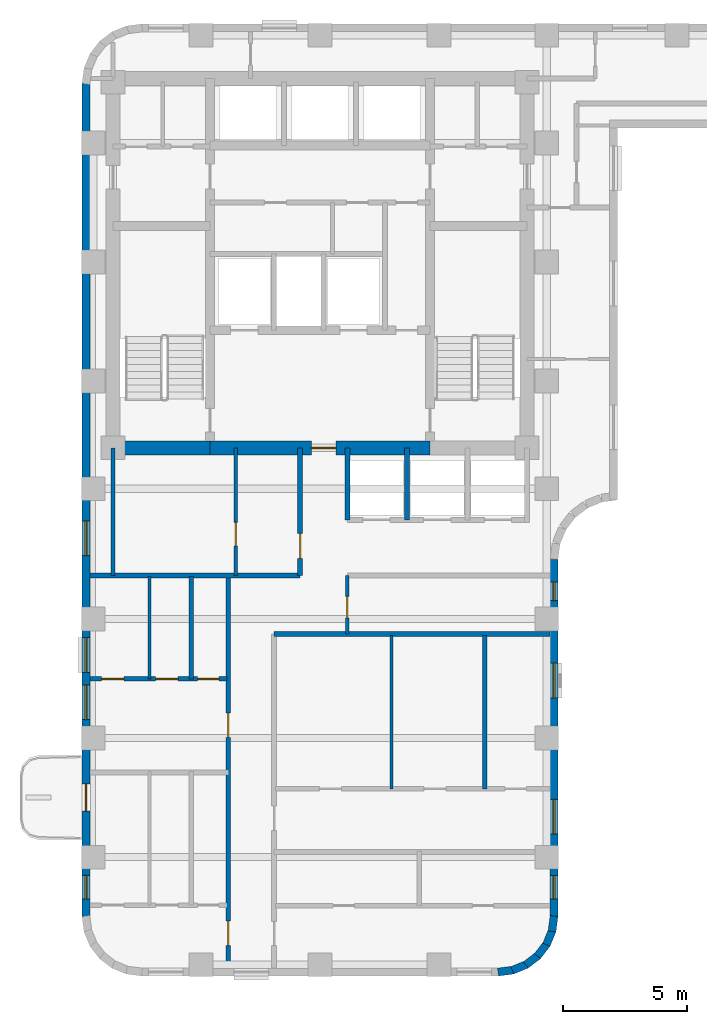
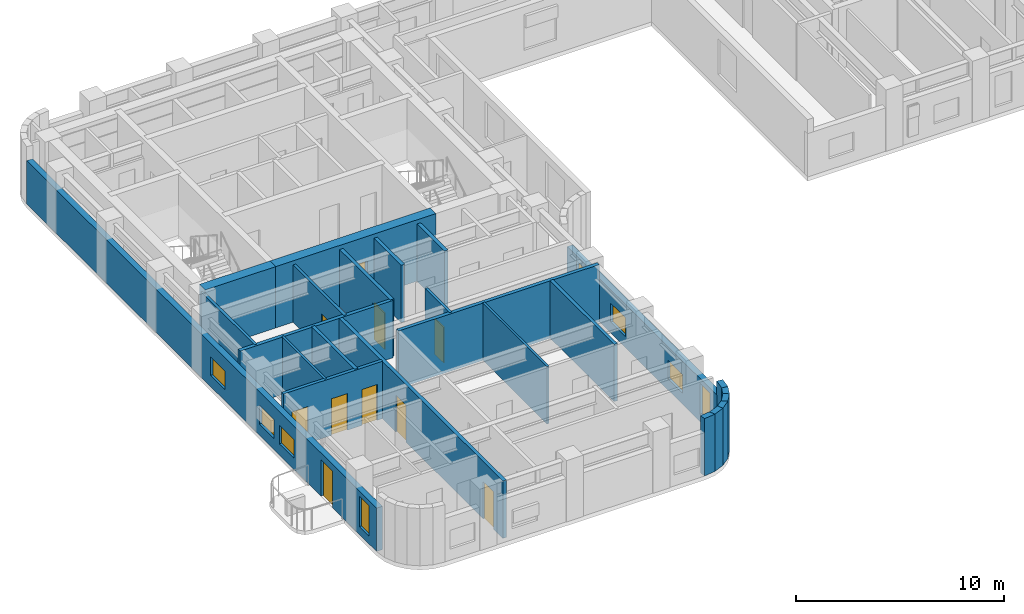
# One storey, part 3 of 10: 24 walls, 10 doors, 8 windows, 18 openings.
"""IFC4 building model written with IfcOpenShell, lengths in metres."""

from ifc_helpers import new_model, si_unit, direction, frame, frame_2d, origin, place, context, subcontext, project, spatial, rectangle, extrude, material, layer, layer_set, type_object, element, fill, save


model = new_model("IFC4")

# Units and contexts
model_context = context("Model", 3, precision=1e-05, world=origin(), true_north=direction((0.0, 1.0)))
body_context = subcontext(model_context, "Body", "Model", "MODEL_VIEW")
ifc_project = project(units=[si_unit("LENGTHUNIT", "METRE"), si_unit("AREAUNIT", "SQUARE_METRE"), si_unit("VOLUMEUNIT", "CUBIC_METRE"), si_unit("PLANEANGLEUNIT", "RADIAN"), si_unit("MASSUNIT", "GRAM", prefix="KILO")], contexts=[model_context])

# Site, building, storey
site_placement = place(None, origin())
site = spatial("IfcSite", under=ifc_project, at=site_placement, CompositionType="ELEMENT")
building_placement = place(site_placement, origin())
building = spatial("IfcBuilding", under=site, at=building_placement, Name="Orvandelia Arch Residences", CompositionType="ELEMENT")
storey_placement = place(building_placement, frame((0.0, 0.0, 182.800048828125)))
storey = spatial("IfcBuildingStorey", under=building, at=storey_placement, Name="L48", CompositionType="ELEMENT", Elevation=182.800048828125)

# Wall
ifc_material_1 = material(Name="Concrete C60/75", Category="concrete")
ifc_layer_1 = layer(ifc_material_1, 0.550048828125, Name="Concrete C60/75", Category="concrete")
ifc_layer_set_1 = layer_set([ifc_layer_1], Name="Concrete C60/75")
wall_type_1 = type_object("IfcWallType", Name="WL-CORE-550", PredefinedType="SHEAR", material=ifc_layer_set_1)
wall_1_placement = place(storey_placement, frame((6.050048828125, 30.89990234375, 0.0), z_axis=(0.0, 0.0, 1.0), x_axis=(1.0, 0.0, 0.0)))
element("IfcWall", 1, at=wall_1_placement, inside=storey, type_object=wall_type_1, Name="Core Shear Wall L48-SW", PredefinedType="SHEAR", context=body_context, shape_type="SweptSolid", body=[
    extrude(rectangle(XDim=3.909912109375, YDim=0.550048828125, at=frame_2d((1.955078125, 0.0))), origin(), (0.0, 0.0, 1.0), 3.599853515625),
])

# Wall, opening, door
wall_2_placement = place(storey_placement, frame((9.9599609375, 30.89990234375, 0.0), z_axis=(0.0, 0.0, 1.0), x_axis=(1.0, 0.0, 0.0)))
wall_2 = element("IfcWall", 2, at=wall_2_placement, inside=storey, type_object=wall_type_1, Name="Core Shear Wall L48-SM", PredefinedType="SHEAR", context=body_context, shape_type="SweptSolid", body=[
    extrude(rectangle(XDim=8.880126953125, YDim=0.550048828125, at=frame_2d((4.43994140625, 0.0))), origin(), (0.0, 0.0, 1.0), 3.599853515625),
])
opening_1_placement = place(wall_2_placement, frame((4.090087890625, 0.0, 0.0)))
opening_1 = element("IfcOpeningElement", 3, at=opening_1_placement, cuts=wall_2, Name="Opening D6", PredefinedType="OPENING", context=body_context, shape_type="SweptSolid", body=[
    extrude(rectangle(XDim=1.0, YDim=2.14990234375, at=frame_2d((0.5, 1.074951171875))), frame((0.0, 0.28515625, 0.0), z_axis=(0.0, -1.0, 0.0), x_axis=(1.0, 0.0, 0.0)), (0.0, 0.0, 1.0), 0.570068359375),
])
ifc_material_2 = material(Name="Smokeproof Painted Steel Fire Door", Category="steel")
door_type_1 = type_object("IfcDoorType", Name="DR-FD60-1000", OperationType="NOTDEFINED", PredefinedType="DOOR", material=ifc_material_2)
door_1_placement = place(opening_1_placement, origin())
door_1 = element("IfcDoor", 4, at=door_1_placement, inside=storey, type_object=door_type_1, Name="Firefighting Lobby Smokeproof Door L48", OperationType="SINGLE_SWING_LEFT", OverallHeight=2.14990234375, OverallWidth=1.0, PredefinedType="DOOR", context=body_context, shape_type="SweptSolid", body=[
    extrude(rectangle(XDim=1.0, YDim=2.14990234375, at=frame_2d((0.5, 1.074951171875))), frame((0.0, 0.02490234375, 0.0), z_axis=(0.0, -1.0, 0.0), x_axis=(1.0, 0.0, 0.0)), (0.0, 0.0, 1.0), 0.050048828125),
])
fill(opening_1, door_1)

# Wall, openings, doors
ifc_material_3 = material(Name="Fire-Rated Corridor Partition")
ifc_layer_2 = layer(ifc_material_3, 0.199951171875, Name="Fire-Rated Corridor Partition")
ifc_layer_set_2 = layer_set([ifc_layer_2], Name="Fire-Rated Corridor Partition")
wall_type_2 = type_object("IfcWallType", Name="WL-CORR-200", PredefinedType="PARTITIONING", material=ifc_layer_set_2)
wall_3_placement = place(storey_placement, frame((10.699951171875, 9.919921875, 0.0), z_axis=(0.0, 0.0, 1.0), x_axis=(0.0, 1.0, 0.0)))
wall_3 = element("IfcWall", 5, at=wall_3_placement, inside=storey, type_object=wall_type_2, Name="Interior Partition Wall WL-L48-WC-W", PredefinedType="PARTITIONING", context=body_context, shape_type="SweptSolid", body=[
    extrude(rectangle(XDim=15.830078125, YDim=0.199951171875, at=frame_2d((7.9150390625, 0.0))), origin(), (0.0, 0.0, 1.0), 3.35986328125),
])
opening_2_placement = place(wall_3_placement, frame((0.910888671875, 0.0, 0.0)))
opening_2 = element("IfcOpeningElement", 6, at=opening_2_placement, cuts=wall_3, Name="Opening D1", PredefinedType="OPENING", context=body_context, shape_type="SweptSolid", body=[
    extrude(rectangle(XDim=0.97998046875, YDim=2.179931640625, at=frame_2d((0.489990234375, 1.08984375))), frame((0.0, 0.10986328125, 0.0), z_axis=(0.0, -1.0, 0.0), x_axis=(1.0, 0.0, 0.0)), (0.0, 0.0, 1.0), 0.219970703125),
])
opening_3_placement = place(wall_3_placement, frame((9.302001953125, 0.0, 0.0)))
opening_3 = element("IfcOpeningElement", 7, at=opening_3_placement, cuts=wall_3, Name="Opening D1", PredefinedType="OPENING", context=body_context, shape_type="SweptSolid", body=[
    extrude(rectangle(XDim=0.97998046875, YDim=2.179931640625, at=frame_2d((0.489990234375, 1.08984375))), frame((0.0, 0.10986328125, 0.0), z_axis=(0.0, -1.0, 0.0), x_axis=(1.0, 0.0, 0.0)), (0.0, 0.0, 1.0), 0.219970703125),
])
ifc_material_4 = material(Name="Solid-Core Timber Acoustic Fire Door", Category="wood")
door_type_2 = type_object("IfcDoorType", Name="DR-ENT-980", OperationType="NOTDEFINED", PredefinedType="DOOR", material=ifc_material_4)
door_2_placement = place(opening_2_placement, origin())
door_2 = element("IfcDoor", 8, at=door_2_placement, inside=storey, type_object=door_type_2, Name="Unit L48-01 Entrance Door", OperationType="SINGLE_SWING_LEFT", OverallHeight=2.179931640625, OverallWidth=0.97998046875, PredefinedType="DOOR", context=body_context, shape_type="SweptSolid", body=[
    extrude(rectangle(XDim=0.97998046875, YDim=2.179931640625, at=frame_2d((0.489990234375, 1.08984375))), frame((0.0, 0.02490234375, 0.0), z_axis=(0.0, -1.0, 0.0), x_axis=(1.0, 0.0, 0.0)), (0.0, 0.0, 1.0), 0.050048828125),
])
fill(opening_2, door_2)
door_3_placement = place(opening_3_placement, origin())
door_3 = element("IfcDoor", 9, at=door_3_placement, inside=storey, type_object=door_type_2, Name="Unit L48-02 Entrance Door", OperationType="SINGLE_SWING_RIGHT", OverallHeight=2.179931640625, OverallWidth=0.97998046875, PredefinedType="DOOR", context=body_context, shape_type="SweptSolid", body=[
    extrude(rectangle(XDim=0.97998046875, YDim=2.179931640625, at=frame_2d((0.489990234375, 1.08984375))), frame((0.0, 0.02490234375, 0.0), z_axis=(0.0, -1.0, 0.0), x_axis=(1.0, 0.0, 0.0)), (0.0, 0.0, 1.0), 0.050048828125),
])
fill(opening_3, door_3)

# Walls
wall_4_placement = place(storey_placement, frame((12.550048828125, 23.39990234375, 0.0), z_axis=(0.0, 0.0, 1.0), x_axis=(1.0, 0.0, 0.0)))
element("IfcWall", 10, at=wall_4_placement, inside=storey, type_object=wall_type_2, Name="Interior Partition Wall WL-L48-WLNK-S", PredefinedType="PARTITIONING", context=body_context, shape_type="SweptSolid", body=[
    extrude(rectangle(XDim=11.1298828125, YDim=0.199951171875, at=frame_2d((5.56494140625, 0.0))), origin(), (0.0, 0.0, 1.0), 3.35986328125),
])
wall_5_placement = place(storey_placement, frame((5.1201171875, 25.75, 0.0), z_axis=(0.0, 0.0, 1.0), x_axis=(1.0, 0.0, 0.0)))
element("IfcWall", 11, at=wall_5_placement, inside=storey, type_object=wall_type_2, Name="Interior Partition Wall WL-L48-WLNK-N", PredefinedType="PARTITIONING", context=body_context, shape_type="SweptSolid", body=[
    extrude(rectangle(XDim=8.47998046875, YDim=0.199951171875, at=frame_2d((4.239990234375, 0.0))), origin(), (0.0, 0.0, 1.0), 3.35986328125),
])

# Wall, openings, windows
ifc_material_5 = material(Name="Precast concrete C40/50", Category="concrete")
ifc_layer_3 = layer(ifc_material_5, 0.320068359375, Name="Precast concrete C40/50", Category="concrete")
ifc_layer_set_3 = layer_set([ifc_layer_3], Name="Precast concrete C40/50")
wall_type_3 = type_object("IfcWallType", Name="WL-EXT-STONE-320", PredefinedType="STANDARD", material=ifc_layer_set_3)
wall_6_placement = place(storey_placement, frame((23.840087890625, 26.39990234375, 0.0), z_axis=(0.0, 0.0, 1.0), x_axis=(0.0, -1.0, 0.0)))
wall_6 = element("IfcWall", 12, at=wall_6_placement, inside=storey, type_object=wall_type_3, Name="Coral-Limestone Precast Facade Wall L48-031", PredefinedType="STANDARD", context=body_context, shape_type="SweptSolid", body=[
    extrude(rectangle(XDim=14.39990234375, YDim=0.320068359375, at=frame_2d((7.199951171875, 0.0))), origin(), (0.0, 0.0, 1.0), 2.5400390625),
])
opening_4_placement = place(wall_6_placement, frame((9.676025390625, 0.0, 0.64990234375)))
opening_4 = element("IfcOpeningElement", 13, at=opening_4_placement, cuts=wall_6, Name="Opening W10", PredefinedType="OPENING", context=body_context, shape_type="SweptSolid", body=[
    extrude(rectangle(XDim=1.39990234375, YDim=1.10009765625, at=frame_2d((0.699951171875, 0.550048828125))), frame((0.0, 0.169921875, 0.0), z_axis=(0.0, -1.0, 0.0), x_axis=(1.0, 0.0, 0.0)), (0.0, 0.0, 1.0), 0.340087890625),
])
opening_5_placement = place(wall_6_placement, frame((12.75048828125, 0.0, 0.449951171875)))
opening_5 = element("IfcOpeningElement", 14, at=opening_5_placement, cuts=wall_6, Name="Opening W4", PredefinedType="OPENING", context=body_context, shape_type="SweptSolid", body=[
    extrude(rectangle(XDim=0.949951171875, YDim=1.800048828125, at=frame_2d((0.47509765625, 0.89990234375))), frame((0.0, 0.169921875, 0.0), z_axis=(0.0, -1.0, 0.0), x_axis=(1.0, 0.0, 0.0)), (0.0, 0.0, 1.0), 0.340087890625),
])
opening_6_placement = place(wall_6_placement, frame((4.1826171875, 0.0, 0.64990234375)))
opening_6 = element("IfcOpeningElement", 15, at=opening_6_placement, cuts=wall_6, Name="Opening W10", PredefinedType="OPENING", context=body_context, shape_type="SweptSolid", body=[
    extrude(rectangle(XDim=1.39990234375, YDim=1.10009765625, at=frame_2d((0.699951171875, 0.550048828125))), frame((0.0, 0.169921875, 0.0), z_axis=(0.0, -1.0, 0.0), x_axis=(1.0, 0.0, 0.0)), (0.0, 0.0, 1.0), 0.340087890625),
])
opening_7_placement = place(wall_6_placement, frame((0.907470703125, 0.0, 0.449951171875)))
opening_7 = element("IfcOpeningElement", 16, at=opening_7_placement, cuts=wall_6, Name="Opening W11", PredefinedType="OPENING", context=body_context, shape_type="SweptSolid", body=[
    extrude(rectangle(XDim=0.75, YDim=1.800048828125, at=frame_2d((0.375, 0.89990234375))), frame((0.0, 0.169921875, 0.0), z_axis=(0.0, -1.0, 0.0), x_axis=(1.0, 0.0, 0.0)), (0.0, 0.0, 1.0), 0.340087890625),
])
ifc_material_6 = material(Name="Tempered Low-E Insulated Glazing", Category="glass")
window_type_1 = type_object("IfcWindowType", Name="WIN-BED-0750x1800", PartitioningType="SINGLE_PANEL", PredefinedType="WINDOW", material=ifc_material_6)
window_1_placement = place(opening_7_placement, origin())
window_1 = element("IfcWindow", 17, at=window_1_placement, inside=storey, type_object=window_type_1, Name="Recessed Punched Window L48-019", OverallHeight=1.800048828125, OverallWidth=0.75, PartitioningType="SINGLE_PANEL", PredefinedType="WINDOW", context=body_context, shape_type="SweptSolid", body=[
    extrude(rectangle(XDim=0.75, YDim=1.800048828125, at=frame_2d((0.375, 0.89990234375))), frame((0.0, 0.030029296875, 0.0), z_axis=(0.0, -1.0, 0.0), x_axis=(1.0, 0.0, 0.0)), (0.0, 0.0, 1.0), 0.06005859375),
])
fill(opening_7, window_1)
window_type_2 = type_object("IfcWindowType", Name="WIN-CLR-1400x1100", PartitioningType="SINGLE_PANEL", PredefinedType="WINDOW", material=ifc_material_6)
window_2_placement = place(opening_4_placement, origin())
window_2 = element("IfcWindow", 18, at=window_2_placement, inside=storey, type_object=window_type_2, Name="Recessed Punched Window L48-016", OverallHeight=1.10009765625, OverallWidth=1.39990234375, PartitioningType="SINGLE_PANEL", PredefinedType="WINDOW", context=body_context, shape_type="SweptSolid", body=[
    extrude(rectangle(XDim=1.39990234375, YDim=1.10009765625, at=frame_2d((0.699951171875, 0.550048828125))), frame((0.0, 0.030029296875, 0.0), z_axis=(0.0, -1.0, 0.0), x_axis=(1.0, 0.0, 0.0)), (0.0, 0.0, 1.0), 0.06005859375),
])
fill(opening_4, window_2)
window_3_placement = place(opening_6_placement, origin())
window_3 = element("IfcWindow", 19, at=window_3_placement, inside=storey, type_object=window_type_2, Name="Recessed Punched Window L48-018", OverallHeight=1.10009765625, OverallWidth=1.39990234375, PartitioningType="SINGLE_PANEL", PredefinedType="WINDOW", context=body_context, shape_type="SweptSolid", body=[
    extrude(rectangle(XDim=1.39990234375, YDim=1.10009765625, at=frame_2d((0.699951171875, 0.550048828125))), frame((0.0, 0.030029296875, 0.0), z_axis=(0.0, -1.0, 0.0), x_axis=(1.0, 0.0, 0.0)), (0.0, 0.0, 1.0), 0.06005859375),
])
fill(opening_6, window_3)
window_type_3 = type_object("IfcWindowType", Name="WIN-RES-0950x1800", PartitioningType="SINGLE_PANEL", PredefinedType="WINDOW", material=ifc_material_6)
window_4_placement = place(opening_5_placement, origin())
window_4 = element("IfcWindow", 20, at=window_4_placement, inside=storey, type_object=window_type_3, Name="Recessed Punched Window L48-017", OverallHeight=1.800048828125, OverallWidth=0.949951171875, PartitioningType="SINGLE_PANEL", PredefinedType="WINDOW", context=body_context, shape_type="SweptSolid", body=[
    extrude(rectangle(XDim=0.949951171875, YDim=1.800048828125, at=frame_2d((0.47509765625, 0.89990234375))), frame((0.0, 0.030029296875, 0.0), z_axis=(0.0, -1.0, 0.0), x_axis=(1.0, 0.0, 0.0)), (0.0, 0.0, 1.0), 0.06005859375),
])
fill(opening_5, window_4)

# Walls
wall_7_placement = place(storey_placement, frame((23.84130859375, 12.02099609375, 0.0), z_axis=(0.0, 0.0, 1.0), x_axis=(-0.130504898859, -0.991447664465, 0.0)))
element("IfcWall", 21, at=wall_7_placement, inside=storey, type_object=wall_type_3, Name="Coral-Limestone Precast Facade Wall L48-032", PredefinedType="STANDARD", context=body_context, shape_type="SweptSolid", body=[
    extrude(rectangle(XDim=0.626708984375, YDim=0.320068359375, at=frame_2d((0.3134765625, 0.0))), origin(), (0.0, 0.0, 1.0), 3.35986328125),
])
for number, where, z_axis, x_axis, name in (
    (22, (23.7705078125, 11.43994140625, 0.0), (0.0, 0.0, 1.0), (-0.382650053678, -0.92389335771, 0.0), "Coral-Limestone Precast Facade Wall L48-033"),
    (23, (23.551513671875, 10.8974609375, 0.0), (0.0, 0.0, 1.0), (-0.608693302629, -0.793405610854, 0.0), "Coral-Limestone Precast Facade Wall L48-034"),
    (24, (23.19970703125, 10.4296875, 0.0), (0.0, 0.0, 1.0), (-0.793405610854, -0.608693302629, 0.0), "Coral-Limestone Precast Facade Wall L48-035"),
    (25, (22.73876953125, 10.0693359375, 0.0), (0.0, 0.0, 1.0), (-0.92389335771, -0.382650053678, 0.0), "Coral-Limestone Precast Facade Wall L48-036"),
    (26, (22.2001953125, 9.84033203125, 0.0), (0.0, 0.0, 1.0), (-0.9914410257, -0.130555323746, 0.0), "Coral-Limestone Precast Facade Wall L48-037"),
):
    element("IfcWall", number, at=place(storey_placement, frame(where, z_axis=z_axis, x_axis=x_axis)), inside=storey, type_object=wall_type_3, Name=name, PredefinedType="STANDARD", context=body_context, shape_type="SweptSolid", body=[
        extrude(rectangle(XDim=0.62646484375, YDim=0.320068359375, at=frame_2d((0.313232421875, 0.0))), origin(), (0.0, 0.0, 1.0), 3.35986328125),
    ])

# Wall, openings, door, windows
wall_8_placement = place(storey_placement, frame((4.9599609375, 12.0, 0.0), z_axis=(0.0, 0.0, 1.0), x_axis=(0.0, 1.0, 0.0)))
wall_8 = element("IfcWall", 27, at=wall_8_placement, inside=storey, type_object=wall_type_3, Name="Coral-Limestone Precast Facade Wall L48-045", PredefinedType="STANDARD", context=body_context, shape_type="SweptSolid", body=[
    extrude(rectangle(XDim=33.60009765625, YDim=0.320068359375, at=frame_2d((16.800048828125, 0.0))), origin(), (0.0, 0.0, 1.0), 2.5400390625),
])
opening_8_placement = place(wall_8_placement, frame((4.25, 0.0, 0.0)))
opening_8 = element("IfcOpeningElement", 28, at=opening_8_placement, cuts=wall_8, Name="Opening BD1", PredefinedType="OPENING", context=body_context, shape_type="SweptSolid", body=[
    extrude(rectangle(XDim=1.10009765625, YDim=2.14990234375, at=frame_2d((0.550048828125, 1.074951171875))), frame((0.0, 0.169921875, 0.0), z_axis=(0.0, -1.0, 0.0), x_axis=(1.0, 0.0, 0.0)), (0.0, 0.0, 1.0), 0.340087890625),
])
opening_9_placement = place(wall_8_placement, frame((0.70849609375, 0.0, 0.449951171875)))
opening_9 = element("IfcOpeningElement", 29, at=opening_9_placement, cuts=wall_8, Name="Opening W4", PredefinedType="OPENING", context=body_context, shape_type="SweptSolid", body=[
    extrude(rectangle(XDim=0.949951171875, YDim=1.800048828125, at=frame_2d((0.47509765625, 0.89990234375))), frame((0.0, 0.169921875, 0.0), z_axis=(0.0, -1.0, 0.0), x_axis=(1.0, 0.0, 0.0)), (0.0, 0.0, 1.0), 0.340087890625),
])
opening_10_placement = place(wall_8_placement, frame((9.844482421875, 0.0, 0.64990234375)))
opening_10 = element("IfcOpeningElement", 30, at=opening_10_placement, cuts=wall_8, Name="Opening W10", PredefinedType="OPENING", context=body_context, shape_type="SweptSolid", body=[
    extrude(rectangle(XDim=1.39990234375, YDim=1.10009765625, at=frame_2d((0.699951171875, 0.550048828125))), frame((0.0, 0.169921875, 0.0), z_axis=(0.0, -1.0, 0.0), x_axis=(1.0, 0.0, 0.0)), (0.0, 0.0, 1.0), 0.340087890625),
])
opening_11_placement = place(wall_8_placement, frame((7.939453125, 0.0, 0.64990234375)))
opening_11 = element("IfcOpeningElement", 31, at=opening_11_placement, cuts=wall_8, Name="Opening W10", PredefinedType="OPENING", context=body_context, shape_type="SweptSolid", body=[
    extrude(rectangle(XDim=1.39990234375, YDim=1.10009765625, at=frame_2d((0.699951171875, 0.550048828125))), frame((0.0, 0.169921875, 0.0), z_axis=(0.0, -1.0, 0.0), x_axis=(1.0, 0.0, 0.0)), (0.0, 0.0, 1.0), 0.340087890625),
])
opening_12_placement = place(wall_8_placement, frame((14.5576171875, 0.0, 0.64990234375)))
opening_12 = element("IfcOpeningElement", 32, at=opening_12_placement, cuts=wall_8, Name="Opening W10", PredefinedType="OPENING", context=body_context, shape_type="SweptSolid", body=[
    extrude(rectangle(XDim=1.39990234375, YDim=1.10009765625, at=frame_2d((0.699951171875, 0.550048828125))), frame((0.0, 0.169921875, 0.0), z_axis=(0.0, -1.0, 0.0), x_axis=(1.0, 0.0, 0.0)), (0.0, 0.0, 1.0), 0.340087890625),
])
ifc_material_7 = material(Name="Thermally Broken Aluminium Glazed Door", Category="aluminium")
door_type_3 = type_object("IfcDoorType", Name="DR-BAL-GLAZ-1100", OperationType="NOTDEFINED", PredefinedType="DOOR", material=ifc_material_7)
door_4_placement = place(opening_8_placement, origin())
door_4 = element("IfcDoor", 33, at=door_4_placement, inside=storey, type_object=door_type_3, Name="Tree Balcony Glazed Door BAL-L48-W1", OperationType="SINGLE_SWING_RIGHT", OverallHeight=2.14990234375, OverallWidth=1.10009765625, PredefinedType="DOOR", context=body_context, shape_type="SweptSolid", body=[
    extrude(rectangle(XDim=1.10009765625, YDim=2.14990234375, at=frame_2d((0.550048828125, 1.074951171875))), frame((0.0, 0.02490234375, 0.0), z_axis=(0.0, -1.0, 0.0), x_axis=(1.0, 0.0, 0.0)), (0.0, 0.0, 1.0), 0.050048828125),
])
fill(opening_8, door_4)
window_5_placement = place(opening_10_placement, origin())
window_5 = element("IfcWindow", 34, at=window_5_placement, inside=storey, type_object=window_type_2, Name="Recessed Punched Window L48-024", OverallHeight=1.10009765625, OverallWidth=1.39990234375, PartitioningType="SINGLE_PANEL", PredefinedType="WINDOW", context=body_context, shape_type="SweptSolid", body=[
    extrude(rectangle(XDim=1.39990234375, YDim=1.10009765625, at=frame_2d((0.699951171875, 0.550048828125))), frame((0.0, 0.030029296875, 0.0), z_axis=(0.0, -1.0, 0.0), x_axis=(1.0, 0.0, 0.0)), (0.0, 0.0, 1.0), 0.06005859375),
])
fill(opening_10, window_5)
window_6_placement = place(opening_11_placement, origin())
window_6 = element("IfcWindow", 35, at=window_6_placement, inside=storey, type_object=window_type_2, Name="Recessed Punched Window L48-025", OverallHeight=1.10009765625, OverallWidth=1.39990234375, PartitioningType="SINGLE_PANEL", PredefinedType="WINDOW", context=body_context, shape_type="SweptSolid", body=[
    extrude(rectangle(XDim=1.39990234375, YDim=1.10009765625, at=frame_2d((0.699951171875, 0.550048828125))), frame((0.0, 0.030029296875, 0.0), z_axis=(0.0, -1.0, 0.0), x_axis=(1.0, 0.0, 0.0)), (0.0, 0.0, 1.0), 0.06005859375),
])
fill(opening_11, window_6)
window_7_placement = place(opening_12_placement, origin())
window_7 = element("IfcWindow", 36, at=window_7_placement, inside=storey, type_object=window_type_2, Name="Recessed Punched Window L48-026", OverallHeight=1.10009765625, OverallWidth=1.39990234375, PartitioningType="SINGLE_PANEL", PredefinedType="WINDOW", context=body_context, shape_type="SweptSolid", body=[
    extrude(rectangle(XDim=1.39990234375, YDim=1.10009765625, at=frame_2d((0.699951171875, 0.550048828125))), frame((0.0, 0.030029296875, 0.0), z_axis=(0.0, -1.0, 0.0), x_axis=(1.0, 0.0, 0.0)), (0.0, 0.0, 1.0), 0.06005859375),
])
fill(opening_12, window_7)
window_8_placement = place(opening_9_placement, origin())
window_8 = element("IfcWindow", 37, at=window_8_placement, inside=storey, type_object=window_type_3, Name="Recessed Punched Window L48-023", OverallHeight=1.800048828125, OverallWidth=0.949951171875, PartitioningType="SINGLE_PANEL", PredefinedType="WINDOW", context=body_context, shape_type="SweptSolid", body=[
    extrude(rectangle(XDim=0.949951171875, YDim=1.800048828125, at=frame_2d((0.47509765625, 0.89990234375))), frame((0.0, 0.030029296875, 0.0), z_axis=(0.0, -1.0, 0.0), x_axis=(1.0, 0.0, 0.0)), (0.0, 0.0, 1.0), 0.06005859375),
])
fill(opening_9, window_8)

# Walls
ifc_material_8 = material(Name="Lightweight Gypsum Stud Partition")
ifc_layer_4 = layer(ifc_material_8, 0.1201171875, Name="Lightweight Gypsum Stud Partition")
ifc_layer_set_4 = layer_set([ifc_layer_4], Name="Lightweight Gypsum Stud Partition")
wall_type_4 = type_object("IfcWallType", Name="WL-PART-120", PredefinedType="PARTITIONING", material=ifc_layer_set_4)
wall_9_placement = place(storey_placement, frame((7.514892578125, 21.583984375, 0.0), z_axis=(0.0, 0.0, 1.0), x_axis=(0.0, 1.0, 0.0)))
element("IfcWall", 38, at=wall_9_placement, inside=storey, type_object=wall_type_4, Name="Interior Partition Wall WL-L48-U02-V1", PredefinedType="PARTITIONING", context=body_context, shape_type="SweptSolid", body=[
    extrude(rectangle(XDim=4.135986328125, YDim=0.1201171875, at=frame_2d((2.06787109375, 0.0))), origin(), (0.0, 0.0, 1.0), 3.35986328125),
])
wall_10_placement = place(storey_placement, frame((17.284912109375, 17.153076171875, 0.0), z_axis=(0.0, 0.0, 1.0), x_axis=(0.0, 1.0, 0.0)))
element("IfcWall", 39, at=wall_10_placement, inside=storey, type_object=wall_type_4, Name="Interior Partition Wall WL-L48-U04-V1", PredefinedType="PARTITIONING", context=body_context, shape_type="SweptSolid", body=[
    extrude(rectangle(XDim=6.18701171875, YDim=0.1201171875, at=frame_2d((3.093505859375, 0.0))), origin(), (0.0, 0.0, 1.0), 3.35986328125),
])
ifc_material_9 = material(Name="Acoustic Gypsum Stud Partition")
ifc_layer_5 = layer(ifc_material_9, 0.14990234375, Name="Acoustic Gypsum Stud Partition")
ifc_layer_set_5 = layer_set([ifc_layer_5], Name="Acoustic Gypsum Stud Partition")
wall_type_5 = type_object("IfcWallType", Name="WL-PART-150", PredefinedType="PARTITIONING", material=ifc_layer_set_5)
wall_11_placement = place(storey_placement, frame((6.050048828125, 25.75, 0.0), z_axis=(0.0, 0.0, 1.0), x_axis=(0.0, 1.0, 0.0)))
element("IfcWall", 40, at=wall_11_placement, inside=storey, type_object=wall_type_5, Name="Interior Partition Wall WL-L48-B1REUSE-W", PredefinedType="PARTITIONING", context=body_context, shape_type="SweptSolid", body=[
    extrude(rectangle(XDim=5.14990234375, YDim=0.14990234375, at=frame_2d((2.574951171875, 0.0))), origin(), (0.0, 0.0, 1.0), 3.35986328125),
])

# Wall, opening, door
wall_12_placement = place(storey_placement, frame((11.0, 25.75, 0.0), z_axis=(0.0, 0.0, 1.0), x_axis=(0.0, 1.0, 0.0)))
wall_12 = element("IfcWall", 41, at=wall_12_placement, inside=storey, type_object=wall_type_5, Name="Interior Partition Wall WL-L48-B1R-M2", PredefinedType="PARTITIONING", context=body_context, shape_type="SweptSolid", body=[
    extrude(rectangle(XDim=5.14990234375, YDim=0.14990234375, at=frame_2d((2.574951171875, 0.0))), origin(), (0.0, 0.0, 1.0), 3.35986328125),
])
opening_13_placement = place(wall_12_placement, frame((1.199951171875, 0.0, 0.0)))
opening_13 = element("IfcOpeningElement", 42, at=opening_13_placement, cuts=wall_12, Name="Opening D2", PredefinedType="OPENING", context=body_context, shape_type="SweptSolid", body=[
    extrude(rectangle(XDim=0.949951171875, YDim=2.14990234375, at=frame_2d((0.47509765625, 1.074951171875))), frame((0.0, 0.0849609375, 0.0), z_axis=(0.0, -1.0, 0.0), x_axis=(1.0, 0.0, 0.0)), (0.0, 0.0, 1.0), 0.169921875),
])
ifc_material_10 = material(Name="Solid-Core Timber Interior Fire Door", Category="wood")
door_type_4 = type_object("IfcDoorType", Name="DR-APT-950", OperationType="NOTDEFINED", PredefinedType="DOOR", material=ifc_material_10)
door_5_placement = place(opening_13_placement, origin())
door_5 = element("IfcDoor", 43, at=door_5_placement, inside=storey, type_object=door_type_4, Name="DR-L48-B1RW", OperationType="SINGLE_SWING_LEFT", OverallHeight=2.14990234375, OverallWidth=0.949951171875, PredefinedType="DOOR", context=body_context, shape_type="SweptSolid", body=[
    extrude(rectangle(XDim=0.949951171875, YDim=2.14990234375, at=frame_2d((0.47509765625, 1.074951171875))), frame((0.0, 0.02490234375, 0.0), z_axis=(0.0, -1.0, 0.0), x_axis=(1.0, 0.0, 0.0)), (0.0, 0.0, 1.0), 0.050048828125),
])
fill(opening_13, door_5)

wall_13_placement = place(storey_placement, frame((15.5, 23.39990234375, 0.0), z_axis=(0.0, 0.0, 1.0), x_axis=(0.0, 1.0, 0.0)))
wall_13 = element("IfcWall", 44, at=wall_13_placement, inside=storey, type_object=wall_type_5, Name="Interior Partition Wall WL-L48-WLNK-E", PredefinedType="PARTITIONING", context=body_context, shape_type="SweptSolid", body=[
    extrude(rectangle(XDim=2.35009765625, YDim=0.14990234375, at=frame_2d((1.175048828125, 0.0))), origin(), (0.0, 0.0, 1.0), 3.35986328125),
])
opening_14_placement = place(wall_13_placement, frame((0.64990234375, 0.0, 0.0)))
opening_14 = element("IfcOpeningElement", 45, at=opening_14_placement, cuts=wall_13, Name="Opening D4", PredefinedType="OPENING", context=body_context, shape_type="SweptSolid", body=[
    extrude(rectangle(XDim=0.860107421875, YDim=2.10009765625, at=frame_2d((0.43017578125, 1.050048828125))), frame((0.0, 0.0849609375, 0.0), z_axis=(0.0, -1.0, 0.0), x_axis=(1.0, 0.0, 0.0)), (0.0, 0.0, 1.0), 0.169921875),
])
ifc_material_11 = material(Name="Moisture-Sealed Timber Bathroom Door", Category="wood")
door_type_5 = type_object("IfcDoorType", Name="DR-WET-900", OperationType="NOTDEFINED", PredefinedType="DOOR", material=ifc_material_11)
door_6_placement = place(opening_14_placement, origin())
door_6 = element("IfcDoor", 46, at=door_6_placement, inside=storey, type_object=door_type_5, Name="DR-L48-WLNKST", OperationType="SINGLE_SWING_RIGHT", OverallHeight=2.10009765625, OverallWidth=0.860107421875, PredefinedType="DOOR", context=body_context, shape_type="SweptSolid", body=[
    extrude(rectangle(XDim=0.860107421875, YDim=2.10009765625, at=frame_2d((0.43017578125, 1.050048828125))), frame((0.0, 0.02490234375, 0.0), z_axis=(0.0, -1.0, 0.0), x_axis=(1.0, 0.0, 0.0)), (0.0, 0.0, 1.0), 0.050048828125),
])
fill(opening_14, door_6)

ifc_material_12 = material(Name="Fire-Rated Shaft Enclosure Wall")
ifc_layer_6 = layer(ifc_material_12, 0.199951171875, Name="Fire-Rated Shaft Enclosure Wall")
ifc_layer_set_6 = layer_set([ifc_layer_6], Name="Fire-Rated Shaft Enclosure Wall")
wall_type_6 = type_object("IfcWallType", Name="WL-SHAFT-200", PredefinedType="POLYGONAL", material=ifc_layer_set_6)
wall_14_placement = place(storey_placement, frame((13.60009765625, 25.75, 0.0), z_axis=(0.0, 0.0, 1.0), x_axis=(0.0, 1.0, 0.0)))
wall_14 = element("IfcWall", 47, at=wall_14_placement, inside=storey, type_object=wall_type_6, Name="Interior Partition Wall WL-L48-B1REUSE-E", PredefinedType="POLYGONAL", context=body_context, shape_type="SweptSolid", body=[
    extrude(rectangle(XDim=5.14990234375, YDim=0.199951171875, at=frame_2d((2.574951171875, 0.0))), origin(), (0.0, 0.0, 1.0), 3.35986328125),
])
opening_15_placement = place(wall_14_placement, frame((0.699951171875, 0.0, 0.0)))
opening_15 = element("IfcOpeningElement", 48, at=opening_15_placement, cuts=wall_14, Name="Opening D6", PredefinedType="OPENING", context=body_context, shape_type="SweptSolid", body=[
    extrude(rectangle(XDim=1.0, YDim=2.14990234375, at=frame_2d((0.5, 1.074951171875))), frame((0.0, 0.10986328125, 0.0), z_axis=(0.0, -1.0, 0.0), x_axis=(1.0, 0.0, 0.0)), (0.0, 0.0, 1.0), 0.219970703125),
])
door_7_placement = place(opening_15_placement, origin())
door_7 = element("IfcDoor", 49, at=door_7_placement, inside=storey, type_object=door_type_1, Name="DR-L48-B1RE", OperationType="SINGLE_SWING_LEFT", OverallHeight=2.14990234375, OverallWidth=1.0, PredefinedType="DOOR", context=body_context, shape_type="SweptSolid", body=[
    extrude(rectangle(XDim=1.0, YDim=2.14990234375, at=frame_2d((0.5, 1.074951171875))), frame((0.0, 0.02490234375, 0.0), z_axis=(0.0, -1.0, 0.0), x_axis=(1.0, 0.0, 0.0)), (0.0, 0.0, 1.0), 0.050048828125),
])
fill(opening_15, door_7)

# Walls
for number, where, z_axis, x_axis, name in (
    (50, (15.5, 28.0, 0.0), (0.0, 0.0, 1.0), (0.0, 1.0, 0.0), "Interior Partition Wall WL-L48-BNKM-W"),
    (51, (17.89990234375, 28.0, 0.0), (0.0, 0.0, 1.0), (0.0, 1.0, 0.0), "Interior Partition Wall WL-L48-BNKMD-1789"),
):
    element("IfcWall", number, at=place(storey_placement, frame(where, z_axis=z_axis, x_axis=x_axis)), inside=storey, type_object=wall_type_6, Name=name, PredefinedType="POLYGONAL", context=body_context, shape_type="SweptSolid", body=[
        extrude(rectangle(XDim=2.89990234375, YDim=0.199951171875, at=frame_2d((1.449951171875, 0.0))), origin(), (0.0, 0.0, 1.0), 3.35986328125),
    ])

# Wall, openings, doors
ifc_material_13 = material(Name="Moisture-Resistant Plumbing Wall")
ifc_layer_7 = layer(ifc_material_13, 0.179931640625, Name="Moisture-Resistant Plumbing Wall")
ifc_layer_set_7 = layer_set([ifc_layer_7], Name="Moisture-Resistant Plumbing Wall")
wall_type_7 = type_object("IfcWallType", Name="WL-WET-180", PredefinedType="PLUMBINGWALL", material=ifc_layer_set_7)
wall_15_placement = place(storey_placement, frame((5.1201171875, 21.583984375, 0.0), z_axis=(0.0, 0.0, 1.0), x_axis=(1.0, 0.0, 0.0)))
wall_15 = element("IfcWall", 52, at=wall_15_placement, inside=storey, type_object=wall_type_7, Name="Interior Partition Wall WL-L48-U02-HZ", PredefinedType="PLUMBINGWALL", context=body_context, shape_type="SweptSolid", body=[
    extrude(rectangle(XDim=5.519775390625, YDim=0.179931640625, at=frame_2d((2.759765625, 0.0))), origin(), (0.0, 0.0, 1.0), 3.35986328125),
])
opening_16_placement = place(wall_15_placement, frame((0.47216796875, 0.0, 0.0)))
opening_16 = element("IfcOpeningElement", 53, at=opening_16_placement, cuts=wall_15, Name="Opening D3", PredefinedType="OPENING", context=body_context, shape_type="SweptSolid", body=[
    extrude(rectangle(XDim=0.89990234375, YDim=2.14990234375, at=frame_2d((0.449951171875, 1.074951171875))), frame((0.0, 0.10009765625, 0.0), z_axis=(0.0, -1.0, 0.0), x_axis=(1.0, 0.0, 0.0)), (0.0, 0.0, 1.0), 0.199951171875),
])
opening_17_placement = place(wall_15_placement, frame((2.655029296875, 0.0, 0.0)))
opening_17 = element("IfcOpeningElement", 54, at=opening_17_placement, cuts=wall_15, Name="Opening D3", PredefinedType="OPENING", context=body_context, shape_type="SweptSolid", body=[
    extrude(rectangle(XDim=0.89990234375, YDim=2.14990234375, at=frame_2d((0.449951171875, 1.074951171875))), frame((0.0, 0.10009765625, 0.0), z_axis=(0.0, -1.0, 0.0), x_axis=(1.0, 0.0, 0.0)), (0.0, 0.0, 1.0), 0.199951171875),
])
opening_18_placement = place(wall_15_placement, frame((4.342041015625, 0.0, 0.0)))
opening_18 = element("IfcOpeningElement", 55, at=opening_18_placement, cuts=wall_15, Name="Opening D4", PredefinedType="OPENING", context=body_context, shape_type="SweptSolid", body=[
    extrude(rectangle(XDim=0.860107421875, YDim=2.10009765625, at=frame_2d((0.43017578125, 1.050048828125))), frame((0.0, 0.10009765625, 0.0), z_axis=(0.0, -1.0, 0.0), x_axis=(1.0, 0.0, 0.0)), (0.0, 0.0, 1.0), 0.199951171875),
])
ifc_material_14 = material(Name="Engineered Timber Flush Door", Category="wood")
door_type_6 = type_object("IfcDoorType", Name="DR-INT-900", OperationType="NOTDEFINED", PredefinedType="DOOR", material=ifc_material_14)
door_8_placement = place(opening_16_placement, origin())
door_8 = element("IfcDoor", 56, at=door_8_placement, inside=storey, type_object=door_type_6, Name="DR-L48-U02-BD1", OperationType="SINGLE_SWING_RIGHT", OverallHeight=2.14990234375, OverallWidth=0.89990234375, PredefinedType="DOOR", context=body_context, shape_type="SweptSolid", body=[
    extrude(rectangle(XDim=0.89990234375, YDim=2.14990234375, at=frame_2d((0.449951171875, 1.074951171875))), frame((0.0, 0.02490234375, 0.0), z_axis=(0.0, -1.0, 0.0), x_axis=(1.0, 0.0, 0.0)), (0.0, 0.0, 1.0), 0.050048828125),
])
fill(opening_16, door_8)
door_9_placement = place(opening_17_placement, origin())
door_9 = element("IfcDoor", 57, at=door_9_placement, inside=storey, type_object=door_type_6, Name="DR-L48-U02-KIT", OperationType="SINGLE_SWING_LEFT", OverallHeight=2.14990234375, OverallWidth=0.89990234375, PredefinedType="DOOR", context=body_context, shape_type="SweptSolid", body=[
    extrude(rectangle(XDim=0.89990234375, YDim=2.14990234375, at=frame_2d((0.449951171875, 1.074951171875))), frame((0.0, 0.02490234375, 0.0), z_axis=(0.0, -1.0, 0.0), x_axis=(1.0, 0.0, 0.0)), (0.0, 0.0, 1.0), 0.050048828125),
])
fill(opening_17, door_9)
door_10_placement = place(opening_18_placement, origin())
door_10 = element("IfcDoor", 58, at=door_10_placement, inside=storey, type_object=door_type_5, Name="DR-L48-U02-BTH", OperationType="SINGLE_SWING_RIGHT", OverallHeight=2.10009765625, OverallWidth=0.860107421875, PredefinedType="DOOR", context=body_context, shape_type="SweptSolid", body=[
    extrude(rectangle(XDim=0.860107421875, YDim=2.10009765625, at=frame_2d((0.43017578125, 1.050048828125))), frame((0.0, 0.02490234375, 0.0), z_axis=(0.0, -1.0, 0.0), x_axis=(1.0, 0.0, 0.0)), (0.0, 0.0, 1.0), 0.050048828125),
])
fill(opening_18, door_10)

# Walls
wall_16_placement = place(storey_placement, frame((9.201904296875, 21.583984375, 0.0), z_axis=(0.0, 0.0, 1.0), x_axis=(0.0, 1.0, 0.0)))
element("IfcWall", 59, at=wall_16_placement, inside=storey, type_object=wall_type_7, Name="Interior Partition Wall WL-L48-U02-V2", PredefinedType="PLUMBINGWALL", context=body_context, shape_type="SweptSolid", body=[
    extrude(rectangle(XDim=4.135986328125, YDim=0.179931640625, at=frame_2d((2.06787109375, 0.0))), origin(), (0.0, 0.0, 1.0), 3.35986328125),
])
wall_17_placement = place(storey_placement, frame((21.0380859375, 17.153076171875, 0.0), z_axis=(0.0, 0.0, 1.0), x_axis=(0.0, 1.0, 0.0)))
element("IfcWall", 60, at=wall_17_placement, inside=storey, type_object=wall_type_7, Name="Interior Partition Wall WL-L48-U04-V2", PredefinedType="PLUMBINGWALL", context=body_context, shape_type="SweptSolid", body=[
    extrude(rectangle(XDim=6.18701171875, YDim=0.179931640625, at=frame_2d((3.093505859375, 0.0))), origin(), (0.0, 0.0, 1.0), 3.35986328125),
])

save(model, "model.ifc")
